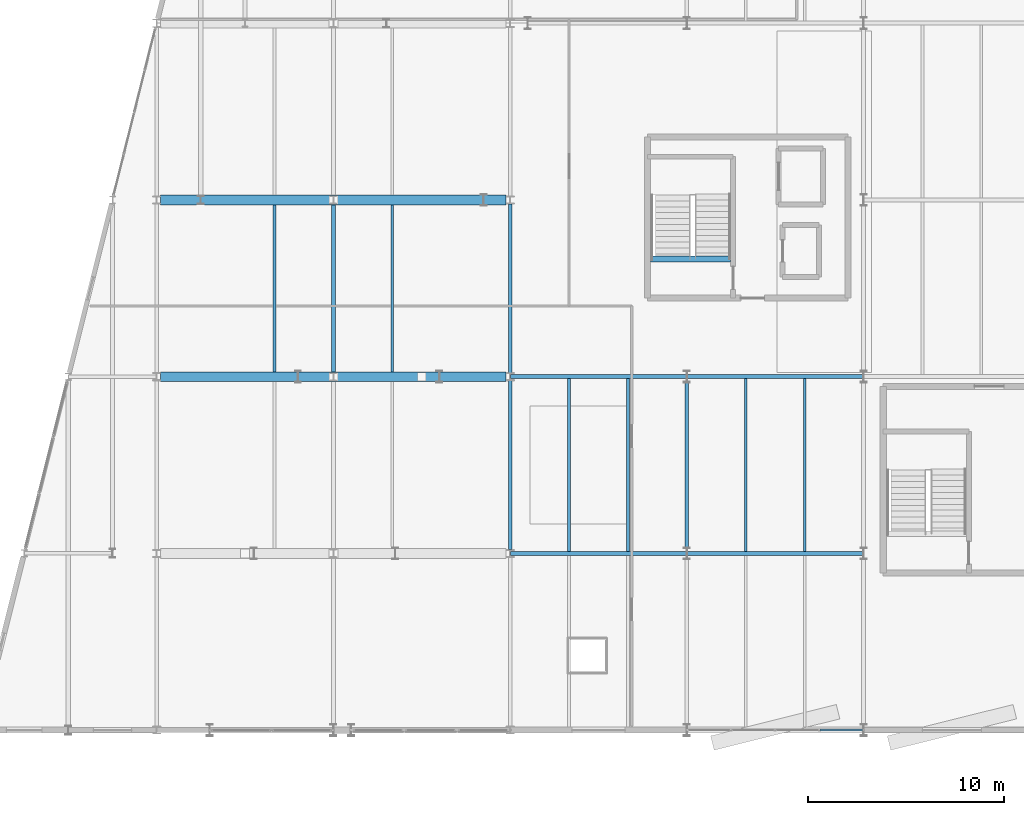
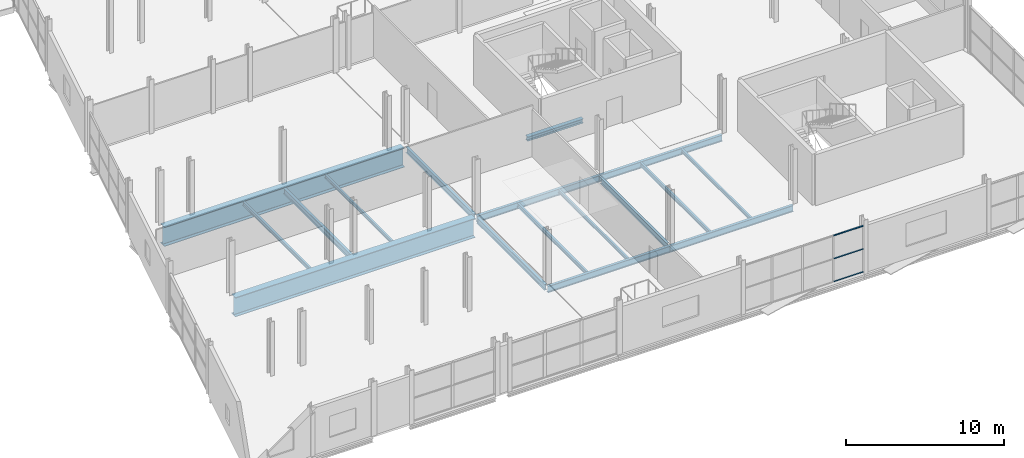
# One storey, part 80 of 135: 17 beams, 3 members, 1 element without a shape of its own.
"""IFC4 building model written with IfcOpenShell, lengths in metres."""

from ifc_helpers import new_model, si_unit, direction, frame, origin, origin_2d, place, context, subcontext, project, spatial, hollow_rectangle, i_section, extrude, material, layer, layer_set, material_profile, profile_set, type_object, element, aggregate, save


model = new_model("IFC4")

# Units and contexts
model_context = context("Model", 3, precision=1e-05, world=origin(), true_north=direction((0.0, 1.0)))
body_context = subcontext(model_context, "Body", "Model", "MODEL_VIEW")
ifc_project = project(units=[si_unit("LENGTHUNIT", "METRE"), si_unit("AREAUNIT", "SQUARE_METRE"), si_unit("VOLUMEUNIT", "CUBIC_METRE"), si_unit("PLANEANGLEUNIT", "RADIAN"), si_unit("MASSUNIT", "GRAM", prefix="KILO")], contexts=[model_context])

# Site, building, storey
site_placement = place(None, origin())
site = spatial("IfcSite", under=ifc_project, at=site_placement, CompositionType="ELEMENT")
building_placement = place(site_placement, origin())
building = spatial("IfcBuilding", under=site, at=building_placement, Name="Deido Ridge Mobility Hub", CompositionType="ELEMENT")
storey_placement = place(building_placement, frame((0.0, 0.0, 4.199951171875)))
storey = spatial("IfcBuildingStorey", under=building, at=storey_placement, Name="L01", CompositionType="ELEMENT", Elevation=4.199951171875)

# Beams
ifc_material_1 = material(Name="Steel S355J2 EN 10025-2", Category="steel")
ifc_material_profile_1 = material_profile(ifc_material_1, i_section(OverallWidth=0.300048828125, OverallDepth=0.330078125, WebThickness=0.009521484375, FlangeThickness=0.0166015625, FilletRadius=0.027099609375, at=origin_2d()), Name="HEA 340")
ifc_profile_set_1 = profile_set([ifc_material_profile_1], Name="Steel S355J2 EN 10025-2")
beam_type_1 = type_object("IfcBeamType", Name="BM-HEA340", PredefinedType="BEAM", material=ifc_profile_set_1)
beam_1_placement = place(storey_placement, frame((151.14990234375, 24.0, -0.4150390625), z_axis=(1.0, 0.0, 0.0), x_axis=(0.0, 1.0, 0.0)))
element("IfcBeam", 1, at=beam_1_placement, inside=storey, type_object=beam_type_1, Name="C3 stair landing trimmer beam B6", PredefinedType="BEAM", context=body_context, shape_type="SweptSolid", body=[
    extrude(i_section(OverallWidth=0.300048828125, OverallDepth=0.330078125, WebThickness=0.009521484375, FlangeThickness=0.0166015625, FilletRadius=0.027099609375, at=origin_2d()), origin(), (0.0, 0.0, 1.0), 4.085205078125),
])
ifc_material_profile_2 = material_profile(ifc_material_1, i_section(OverallWidth=0.18994140625, OverallDepth=0.449951171875, WebThickness=0.009521484375, FlangeThickness=0.0146484375, FilletRadius=0.02099609375, at=origin_2d()), Name="IPE 450")
ifc_profile_set_2 = profile_set([ifc_material_profile_2], Name="Steel S355J2 EN 10025-2")
beam_type_2 = type_object("IfcBeamType", Name="BM-IPE450", PredefinedType="BEAM", material=ifc_profile_set_2)
beam_2_placement = place(storey_placement, frame((135.0, 18.25, -0.474853515625), z_axis=(0.0, 1.0, 0.0), x_axis=(-1.0, 0.0, 0.0)))
element("IfcBeam", 2, at=beam_2_placement, inside=storey, type_object=beam_type_2, Name="Floor beam B4", PredefinedType="BEAM", context=body_context, shape_type="SweptSolid", body=[
    extrude(i_section(OverallWidth=0.18994140625, OverallDepth=0.449951171875, WebThickness=0.009521484375, FlangeThickness=0.0146484375, FilletRadius=0.02099609375, at=origin_2d()), origin(), (0.0, 0.0, 1.0), 8.5),
])
for number, where, z_axis, x_axis, name in (
    (3, (144.0, 9.196533203125, -0.474853515625), (0.0, 1.0, 0.0), (-1.0, 0.0, 0.0), "Floor beam B4"),
    (4, (144.0, 18.196533203125, -0.474853515625), (0.0, 1.0, 0.0), (-1.0, 0.0, 0.0), "Floor beam B4"),
):
    element("IfcBeam", number, at=place(storey_placement, frame(where, z_axis=z_axis, x_axis=x_axis)), inside=storey, type_object=beam_type_2, Name=name, PredefinedType="BEAM", context=body_context, shape_type="SweptSolid", body=[
        extrude(i_section(OverallWidth=0.18994140625, OverallDepth=0.449951171875, WebThickness=0.009521484375, FlangeThickness=0.0146484375, FilletRadius=0.02099609375, at=origin_2d()), origin(), (0.0, 0.0, 1.0), 8.60693359375),
    ])
beam_3_placement = place(storey_placement, frame((153.0, 9.300048828125, -0.474853515625), z_axis=(0.0, 1.0, 0.0), x_axis=(-1.0, 0.0, 0.0)))
element("IfcBeam", 5, at=beam_3_placement, inside=storey, type_object=beam_type_2, Name="Floor beam B4", PredefinedType="BEAM", context=body_context, shape_type="SweptSolid", body=[
    extrude(i_section(OverallWidth=0.18994140625, OverallDepth=0.449951171875, WebThickness=0.009521484375, FlangeThickness=0.0146484375, FilletRadius=0.02099609375, at=origin_2d()), origin(), (0.0, 0.0, 1.0), 8.39990234375),
])
ifc_material_profile_3 = material_profile(ifc_material_1, i_section(OverallWidth=0.199951171875, OverallDepth=0.5, WebThickness=0.01025390625, FlangeThickness=0.01611328125, FilletRadius=0.02099609375, at=origin_2d()), Name="IPE 500")
ifc_profile_set_3 = profile_set([ifc_material_profile_3], Name="Steel S355J2 EN 10025-2")
beam_type_3 = type_object("IfcBeamType", Name="BM-IPE500", PredefinedType="BEAM", material=ifc_profile_set_3)
beam_4_placement = place(storey_placement, frame((144.0087890625, 18.0, -0.5), z_axis=(1.0, 0.0, 0.0), x_axis=(0.0, 1.0, 0.0)))
element("IfcBeam", 6, at=beam_4_placement, inside=storey, type_object=beam_type_3, Name="Floor beam B3", PredefinedType="BEAM", context=body_context, shape_type="SweptSolid", body=[
    extrude(i_section(OverallWidth=0.199951171875, OverallDepth=0.5, WebThickness=0.01025390625, FlangeThickness=0.01611328125, FilletRadius=0.02099609375, at=origin_2d()), origin(), (0.0, 0.0, 1.0), 8.9833984375),
])
beam_5_placement = place(storey_placement, frame((153.0078125, 18.0, -0.5), z_axis=(1.0, 0.0, 0.0), x_axis=(0.0, 1.0, 0.0)))
element("IfcBeam", 7, at=beam_5_placement, inside=storey, type_object=beam_type_3, Name="Floor beam B3", PredefinedType="BEAM", context=body_context, shape_type="SweptSolid", body=[
    extrude(i_section(OverallWidth=0.199951171875, OverallDepth=0.5, WebThickness=0.01025390625, FlangeThickness=0.01611328125, FilletRadius=0.02099609375, at=origin_2d()), origin(), (0.0, 0.0, 1.0), 8.984375),
])
beam_6_placement = place(storey_placement, frame((144.0087890625, 9.0, -0.5), z_axis=(1.0, 0.0, 0.0), x_axis=(0.0, 1.0, 0.0)))
element("IfcBeam", 8, at=beam_6_placement, inside=storey, type_object=beam_type_3, Name="Floor beam B3", PredefinedType="BEAM", context=body_context, shape_type="SweptSolid", body=[
    extrude(i_section(OverallWidth=0.199951171875, OverallDepth=0.5, WebThickness=0.01025390625, FlangeThickness=0.01611328125, FilletRadius=0.02099609375, at=origin_2d()), origin(), (0.0, 0.0, 1.0), 8.9833984375),
])
beam_7_placement = place(storey_placement, frame((153.0078125, 9.0, -0.5), z_axis=(1.0, 0.0, 0.0), x_axis=(0.0, 1.0, 0.0)))
element("IfcBeam", 9, at=beam_7_placement, inside=storey, type_object=beam_type_3, Name="Floor beam B3", PredefinedType="BEAM", context=body_context, shape_type="SweptSolid", body=[
    extrude(i_section(OverallWidth=0.199951171875, OverallDepth=0.5, WebThickness=0.01025390625, FlangeThickness=0.01611328125, FilletRadius=0.02099609375, at=origin_2d()), origin(), (0.0, 0.0, 1.0), 8.984375),
])
ifc_material_profile_4 = material_profile(ifc_material_1, i_section(OverallWidth=0.5, OverallDepth=1.5, WebThickness=0.02197265625, FlangeThickness=0.0380859375, FilletRadius=0.01806640625, at=origin_2d()), Name="WTG 1500x500")
ifc_profile_set_4 = profile_set([ifc_material_profile_4], Name="Steel S355J2 EN 10025-2")
beam_type_4 = type_object("IfcBeamType", Name="BM-TG-1500", PredefinedType="USERDEFINED", material=ifc_profile_set_4)
for number, where, z_axis, x_axis, name in (
    (10, (126.199462890625, 18.0, -1.0), (1.0, 0.0, 0.0), (0.0, 1.0, 0.0), "Transfer girder TG1"),
    (11, (126.199462890625, 27.0, -1.0), (1.0, 0.0, 0.0), (0.0, 1.0, 0.0), "Transfer girder TG1"),
):
    element("IfcBeam", number, at=place(storey_placement, frame(where, z_axis=z_axis, x_axis=x_axis)), inside=storey, type_object=beam_type_4, Name=name, ObjectType="TRANSFER GIRDER", PredefinedType="USERDEFINED", context=body_context, shape_type="SweptSolid", body=[
        extrude(i_section(OverallWidth=0.5, OverallDepth=1.5, WebThickness=0.02197265625, FlangeThickness=0.0380859375, FilletRadius=0.01806640625, at=origin_2d()), origin(), (0.0, 0.0, 1.0), 17.60107421875),
    ])
ifc_material_profile_5 = material_profile(ifc_material_1, i_section(OverallWidth=0.135009765625, OverallDepth=0.27001953125, WebThickness=0.006591796875, FlangeThickness=0.01025390625, FilletRadius=0.014892578125, at=origin_2d()), Name="IPE 270")
ifc_profile_set_5 = profile_set([ifc_material_profile_5], Name="Steel S355J2 EN 10025-2")
beam_type_5 = type_object("IfcBeamType", Name="JST-IPE270", PredefinedType="JOIST", material=ifc_profile_set_5)
for number, where, z_axis, x_axis, name in (
    (12, (150.0, 9.10009765625, -0.385009765625), (0.0, 1.0, 0.0), (-1.0, 0.0, 0.0), "Composite joist J4"),
    (13, (159.0, 9.10009765625, -0.385009765625), (0.0, 1.0, 0.0), (-1.0, 0.0, 0.0), "Composite joist J4"),
):
    element("IfcBeam", number, at=place(storey_placement, frame(where, z_axis=z_axis, x_axis=x_axis)), inside=storey, type_object=beam_type_5, Name=name, PredefinedType="JOIST", context=body_context, shape_type="SweptSolid", body=[
        extrude(i_section(OverallWidth=0.135009765625, OverallDepth=0.27001953125, WebThickness=0.006591796875, FlangeThickness=0.01025390625, FilletRadius=0.014892578125, at=origin_2d()), origin(), (0.0, 0.0, 1.0), 8.7998046875),
    ])
beam_8_placement = place(storey_placement, frame((138.0, 18.25, -0.385009765625), z_axis=(0.0, 1.0, 0.0), x_axis=(-1.0, 0.0, 0.0)))
element("IfcBeam", 14, at=beam_8_placement, inside=storey, type_object=beam_type_5, Name="Composite joist J4", PredefinedType="JOIST", context=body_context, shape_type="SweptSolid", body=[
    extrude(i_section(OverallWidth=0.135009765625, OverallDepth=0.27001953125, WebThickness=0.006591796875, FlangeThickness=0.01025390625, FilletRadius=0.014892578125, at=origin_2d()), origin(), (0.0, 0.0, 1.0), 8.5),
])
ifc_material_profile_6 = material_profile(ifc_material_1, i_section(OverallWidth=0.14990234375, OverallDepth=0.300048828125, WebThickness=0.007080078125, FlangeThickness=0.0107421875, FilletRadius=0.014892578125, at=origin_2d()), Name="IPE 300")
ifc_profile_set_6 = profile_set([ifc_material_profile_6], Name="Steel S355J2 EN 10025-2")
beam_type_6 = type_object("IfcBeamType", Name="JST-IPE300", PredefinedType="JOIST", material=ifc_profile_set_6)
for number, where, z_axis, x_axis, name in (
    (15, (147.0, 9.10009765625, -0.39990234375), (0.0, 1.0, 0.0), (-1.0, 0.0, 0.0), "Composite joist J3"),
    (16, (156.0, 9.10009765625, -0.39990234375), (0.0, 1.0, 0.0), (-1.0, 0.0, 0.0), "Composite joist J3"),
):
    element("IfcBeam", number, at=place(storey_placement, frame(where, z_axis=z_axis, x_axis=x_axis)), inside=storey, type_object=beam_type_6, Name=name, PredefinedType="JOIST", context=body_context, shape_type="SweptSolid", body=[
        extrude(i_section(OverallWidth=0.14990234375, OverallDepth=0.300048828125, WebThickness=0.007080078125, FlangeThickness=0.0107421875, FilletRadius=0.014892578125, at=origin_2d()), origin(), (0.0, 0.0, 1.0), 8.7998046875),
    ])
beam_9_placement = place(storey_placement, frame((132.0, 18.25, -0.39990234375), z_axis=(0.0, 1.0, 0.0), x_axis=(-1.0, 0.0, 0.0)))
element("IfcBeam", 17, at=beam_9_placement, inside=storey, type_object=beam_type_6, Name="Composite joist J3", PredefinedType="JOIST", context=body_context, shape_type="SweptSolid", body=[
    extrude(i_section(OverallWidth=0.14990234375, OverallDepth=0.300048828125, WebThickness=0.007080078125, FlangeThickness=0.0107421875, FilletRadius=0.014892578125, at=origin_2d()), origin(), (0.0, 0.0, 1.0), 8.5),
])

# Curtain wall, members
ifc_material_2 = material(Name="Anodised aluminium EN AW-6063 T6", Category="aluminium")
ifc_layer = layer(ifc_material_2, 0.1650390625, Name="Anodised aluminium EN AW-6063 T6")
ifc_layer_set = layer_set([ifc_layer], Name="Anodised aluminium EN AW-6063 T6")
curtain_wall_type = type_object("IfcCurtainWallType", Name="CW-UF-1", PredefinedType="USERDEFINED", material=ifc_layer_set)
curtain_wall_placement = place(storey_placement, origin())
curtain_wall = element("IfcCurtainWall", 18, at=curtain_wall_placement, inside=storey, type_object=curtain_wall_type, Name="Unitised curtain wall CW1", ObjectType="UNITISED FACADE", PredefinedType="USERDEFINED")
ifc_material_profile_7 = material_profile(ifc_material_2, hollow_rectangle(XDim=0.10498046875, YDim=0.050048828125, WallThickness=0.00390625, at=origin_2d()), Name="RHS 105x50x4")
ifc_profile_set_7 = profile_set([ifc_material_profile_7], Name="Anodised aluminium EN AW-6063 T6")
member_type = type_object("IfcMemberType", Name="MEM-TRN-105X50", PredefinedType="USERDEFINED", material=ifc_profile_set_7)
member_1_placement = place(storey_placement, frame((159.771240234375, 0.0, 0.025146484375), z_axis=(1.0, 0.0, 0.0), x_axis=(0.0, 1.0, 0.0)))
member_1 = element("IfcMember", 19, at=member_1_placement, type_object=member_type, Name="CW1 transom 4.1", ObjectType="TRANSOM", PredefinedType="USERDEFINED", context=body_context, shape_type="SweptSolid", body=[
    extrude(hollow_rectangle(XDim=0.10498046875, YDim=0.050048828125, WallThickness=0.00390625, at=origin_2d()), origin(), (0.0, 0.0, 1.0), 2.171142578125),
])
member_2_placement = place(storey_placement, frame((159.771240234375, 0.0, 1.800048828125), z_axis=(1.0, 0.0, 0.0), x_axis=(0.0, 1.0, 0.0)))
member_2 = element("IfcMember", 20, at=member_2_placement, type_object=member_type, Name="CW1 transom 4.2", ObjectType="TRANSOM", PredefinedType="USERDEFINED", context=body_context, shape_type="SweptSolid", body=[
    extrude(hollow_rectangle(XDim=0.10498046875, YDim=0.050048828125, WallThickness=0.00390625, at=origin_2d()), origin(), (0.0, 0.0, 1.0), 2.171142578125),
])
member_3_placement = place(storey_placement, frame((159.771240234375, 0.0, 3.574951171875), z_axis=(1.0, 0.0, 0.0), x_axis=(0.0, 1.0, 0.0)))
member_3 = element("IfcMember", 21, at=member_3_placement, type_object=member_type, Name="CW1 transom 4.3", ObjectType="TRANSOM", PredefinedType="USERDEFINED", context=body_context, shape_type="SweptSolid", body=[
    extrude(hollow_rectangle(XDim=0.10498046875, YDim=0.050048828125, WallThickness=0.00390625, at=origin_2d()), origin(), (0.0, 0.0, 1.0), 2.171142578125),
])
aggregate(curtain_wall, [member_1, member_2, member_3])

save(model, "model.ifc")
